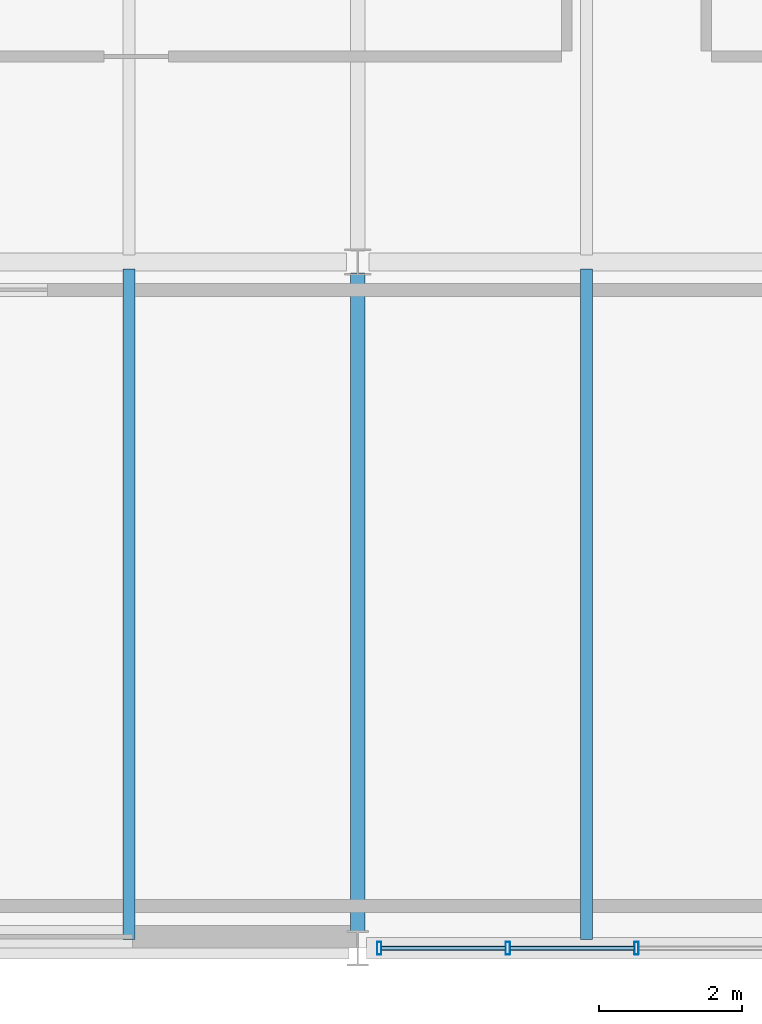
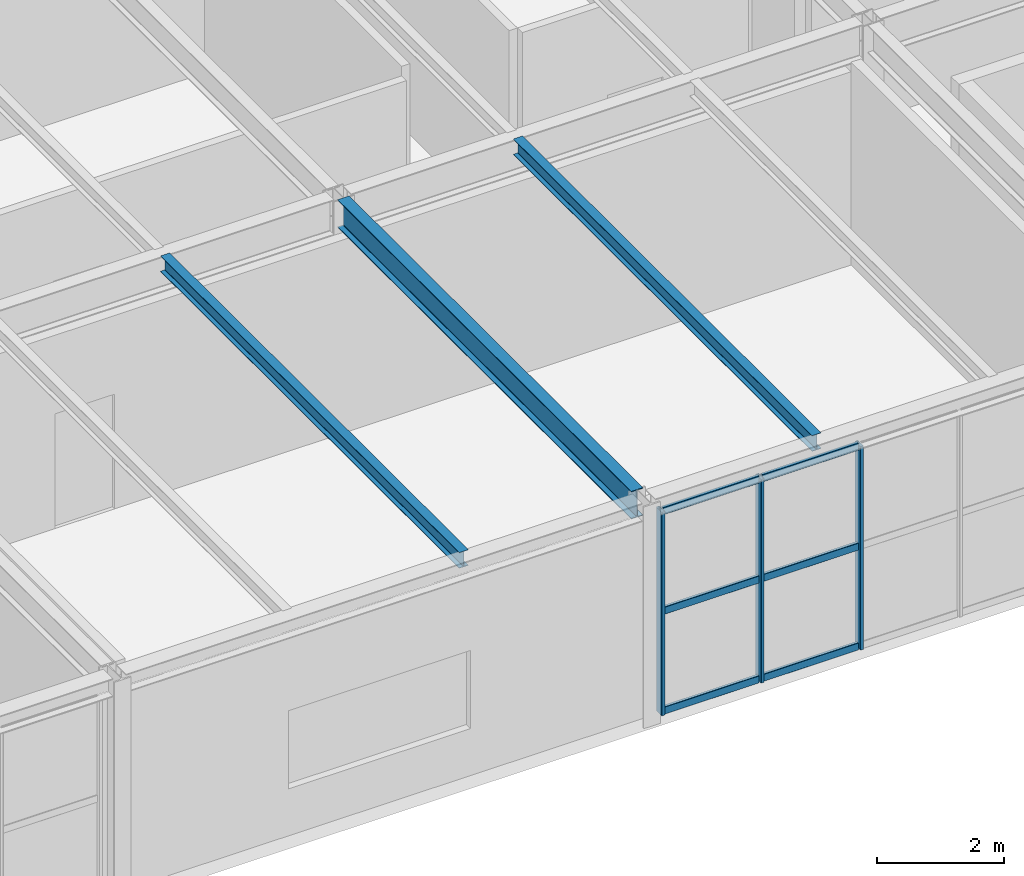
# One storey, part 61 of 170: 9 members, 3 beams, 1 element without a shape of its own.
"""IFC4 building model written with IfcOpenShell, lengths in metres."""

from ifc_helpers import new_model, si_unit, direction, frame, origin, origin_2d, place, context, subcontext, project, spatial, hollow_rectangle, i_section, extrude, material, material_profile, profile_set, type_object, element, aggregate, save


model = new_model("IFC4")

# Units and contexts
model_context = context("Model", 3, precision=1e-05, world=origin(), true_north=direction((0.0, 1.0)))
body_context = subcontext(model_context, "Body", "Model", "MODEL_VIEW")
ifc_project = project(units=[si_unit("LENGTHUNIT", "METRE"), si_unit("AREAUNIT", "SQUARE_METRE"), si_unit("VOLUMEUNIT", "CUBIC_METRE"), si_unit("PLANEANGLEUNIT", "RADIAN"), si_unit("MASSUNIT", "GRAM", prefix="KILO")], contexts=[model_context])

# Site, building, storey
site_placement = place(None, origin())
site = spatial("IfcSite", under=ifc_project, at=site_placement, CompositionType="ELEMENT")
building_placement = place(site_placement, origin())
building = spatial("IfcBuilding", under=site, at=building_placement, Name="Coralgate Yard Interchange", CompositionType="ELEMENT")
storey_placement = place(building_placement, frame((0.0, 0.0, 6.0)))
storey = spatial("IfcBuildingStorey", under=building, at=storey_placement, Name="L01", CompositionType="ELEMENT", Elevation=6.0)

# Beams
ifc_material_1 = material(Name="Structural steel S355J2", Category="steel")
ifc_material_profile_1 = material_profile(ifc_material_1, i_section(OverallWidth=0.209228515625, OverallDepth=0.533203125, WebThickness=0.010009765625, FlangeThickness=0.015625, FilletRadius=0.0126953125, at=origin_2d()), Name="UB 533x210x92")
ifc_profile_set_1 = profile_set([ifc_material_profile_1], Name="Structural steel S355J2")
beam_type_1 = type_object("IfcBeamType", Name="BM-SB-1", PredefinedType="BEAM", material=ifc_profile_set_1)
beam_placement = place(storey_placement, frame((67.199951171875, 0.219970703125, 3.9833984375), z_axis=(0.0, 1.0, 0.0), x_axis=(-1.0, 0.0, 0.0)))
element("IfcBeam", 1, at=beam_placement, inside=storey, type_object=beam_type_1, Name="L01 primary grid girder X7 Y0-1", PredefinedType="BEAM", context=body_context, shape_type="SweptSolid", body=[
    extrude(i_section(OverallWidth=0.209228515625, OverallDepth=0.533203125, WebThickness=0.010009765625, FlangeThickness=0.015625, FilletRadius=0.0126953125, at=origin_2d()), origin(), (0.0, 0.0, 1.0), 9.225830078125),
])
ifc_material_profile_2 = material_profile(ifc_material_1, i_section(OverallWidth=0.1650390625, OverallDepth=0.303466796875, WebThickness=0.006103515625, FlangeThickness=0.01025390625, FilletRadius=0.0087890625, at=origin_2d()), Name="UB 305x165x40")
ifc_profile_set_2 = profile_set([ifc_material_profile_2], Name="Structural steel S355J2")
beam_type_2 = type_object("IfcBeamType", Name="BM-SJ-1", PredefinedType="JOIST", material=ifc_profile_set_2)
for number, where, z_axis, x_axis, name in (
    (2, (64.0, 0.1201171875, 4.098388671875), (0.0, 1.0, 0.0), (-1.0, 0.0, 0.0), "L01 composite floor joist 6-0-2"),
    (3, (70.39990234375, 0.1201171875, 4.098388671875), (0.0, 1.0, 0.0), (-1.0, 0.0, 0.0), "L01 composite floor joist 7-0-1"),
):
    element("IfcBeam", number, at=place(storey_placement, frame(where, z_axis=z_axis, x_axis=x_axis)), inside=storey, type_object=beam_type_2, Name=name, PredefinedType="JOIST", context=body_context, shape_type="SweptSolid", body=[
        extrude(i_section(OverallWidth=0.1650390625, OverallDepth=0.303466796875, WebThickness=0.006103515625, FlangeThickness=0.01025390625, FilletRadius=0.0087890625, at=origin_2d()), origin(), (0.0, 0.0, 1.0), 9.383056640625),
    ])

# Curtain wall, members
ifc_material_2 = material(Name="Anodised coastal aluminium and solar-control low-E glass", Category="aluminium")
curtain_wall_type = type_object("IfcCurtainWallType", Name="CW-CW-L01-A", PredefinedType="NOTDEFINED", material=ifc_material_2)
curtain_wall_placement = place(storey_placement, origin())
curtain_wall = element("IfcCurtainWall", 4, at=curtain_wall_placement, inside=storey, type_object=curtain_wall_type, Name="L01 unitised curtain wall CW-L01-S-07-00", PredefinedType="NOTDEFINED")
ifc_material_3 = material(Name="Anodised coastal aluminium 6063-T6", Category="aluminium")
ifc_material_profile_3 = material_profile(ifc_material_3, hollow_rectangle(XDim=0.06005859375, YDim=0.179931640625, WallThickness=0.00390625, InnerFilletRadius=0.00390625, OuterFilletRadius=0.008056640625, at=origin_2d()), Name="ALU 60x180x4")
ifc_profile_set_3 = profile_set([ifc_material_profile_3], Name="Anodised coastal aluminium 6063-T6")
member_type_1 = type_object("IfcMemberType", Name="MB-MUL-180", PredefinedType="MULLION", material=ifc_profile_set_3)
member_1_placement = place(storey_placement, frame((71.10009765625, 0.0, 0.0), z_axis=(0.0, 0.0, 1.0), x_axis=(1.0, 0.0, 0.0)))
member_1 = element("IfcMember", 5, at=member_1_placement, type_object=member_type_1, Name="CW-L01-S-07-00 vertical mullion 4", PredefinedType="MULLION", context=body_context, shape_type="SweptSolid", body=[
    extrude(hollow_rectangle(XDim=0.06005859375, YDim=0.179931640625, WallThickness=0.00390625, InnerFilletRadius=0.00390625, OuterFilletRadius=0.008056640625, at=origin_2d()), origin(), (0.0, 0.0, 1.0), 3.89990234375),
])
member_2_placement = place(storey_placement, frame((69.300048828125, 0.0, 0.0), z_axis=(0.0, 0.0, 1.0), x_axis=(1.0, 0.0, 0.0)))
member_2 = element("IfcMember", 6, at=member_2_placement, type_object=member_type_1, Name="CW-L01-S-07-00 vertical mullion 5", PredefinedType="MULLION", context=body_context, shape_type="SweptSolid", body=[
    extrude(hollow_rectangle(XDim=0.06005859375, YDim=0.179931640625, WallThickness=0.00390625, InnerFilletRadius=0.00390625, OuterFilletRadius=0.008056640625, at=origin_2d()), origin(), (0.0, 0.0, 1.0), 3.89990234375),
])
member_3_placement = place(storey_placement, frame((67.5, 0.0, 0.0), z_axis=(0.0, 0.0, 1.0), x_axis=(1.0, 0.0, 0.0)))
member_3 = element("IfcMember", 7, at=member_3_placement, type_object=member_type_1, Name="CW-L01-S-07-00 vertical mullion 6", PredefinedType="MULLION", context=body_context, shape_type="SweptSolid", body=[
    extrude(hollow_rectangle(XDim=0.06005859375, YDim=0.179931640625, WallThickness=0.00390625, InnerFilletRadius=0.00390625, OuterFilletRadius=0.008056640625, at=origin_2d()), origin(), (0.0, 0.0, 1.0), 3.89990234375),
])
ifc_material_profile_4 = material_profile(ifc_material_3, hollow_rectangle(XDim=0.06005859375, YDim=0.139892578125, WallThickness=0.00341796875, InnerFilletRadius=0.00341796875, OuterFilletRadius=0.007080078125, at=origin_2d()), Name="ALU 60x140x3.5")
ifc_profile_set_4 = profile_set([ifc_material_profile_4], Name="Anodised coastal aluminium 6063-T6")
member_type_2 = type_object("IfcMemberType", Name="MB-TRN-140", PredefinedType="USERDEFINED", material=ifc_profile_set_4)
member_4_placement = place(storey_placement, frame((71.070068359375, 0.0, 0.034912109375), z_axis=(-1.0, 0.0, 0.0), x_axis=(0.0, -1.0, 0.0)))
member_4 = element("IfcMember", 8, at=member_4_placement, type_object=member_type_2, Name="CW-L01-S-07-00 horizontal transom 4-1", ObjectType="TRANSOM", PredefinedType="USERDEFINED", context=body_context, shape_type="SweptSolid", body=[
    extrude(hollow_rectangle(XDim=0.06005859375, YDim=0.139892578125, WallThickness=0.00341796875, InnerFilletRadius=0.00341796875, OuterFilletRadius=0.007080078125, at=origin_2d()), origin(), (0.0, 0.0, 1.0), 1.739990234375),
])
member_5_placement = place(storey_placement, frame((71.070068359375, 0.0, 1.949951171875), z_axis=(-1.0, 0.0, 0.0), x_axis=(0.0, -1.0, 0.0)))
member_5 = element("IfcMember", 9, at=member_5_placement, type_object=member_type_2, Name="CW-L01-S-07-00 horizontal transom 4-2", ObjectType="TRANSOM", PredefinedType="USERDEFINED", context=body_context, shape_type="SweptSolid", body=[
    extrude(hollow_rectangle(XDim=0.06005859375, YDim=0.139892578125, WallThickness=0.00341796875, InnerFilletRadius=0.00341796875, OuterFilletRadius=0.007080078125, at=origin_2d()), origin(), (0.0, 0.0, 1.0), 1.739990234375),
])
member_6_placement = place(storey_placement, frame((71.070068359375, 0.0, 3.864990234375), z_axis=(-1.0, 0.0, 0.0), x_axis=(0.0, -1.0, 0.0)))
member_6 = element("IfcMember", 10, at=member_6_placement, type_object=member_type_2, Name="CW-L01-S-07-00 horizontal transom 4-3", ObjectType="TRANSOM", PredefinedType="USERDEFINED", context=body_context, shape_type="SweptSolid", body=[
    extrude(hollow_rectangle(XDim=0.06005859375, YDim=0.139892578125, WallThickness=0.00341796875, InnerFilletRadius=0.00341796875, OuterFilletRadius=0.007080078125, at=origin_2d()), origin(), (0.0, 0.0, 1.0), 1.739990234375),
])
member_7_placement = place(storey_placement, frame((69.27001953125, 0.0, 0.034912109375), z_axis=(-1.0, 0.0, 0.0), x_axis=(0.0, -1.0, 0.0)))
member_7 = element("IfcMember", 11, at=member_7_placement, type_object=member_type_2, Name="CW-L01-S-07-00 horizontal transom 5-1", ObjectType="TRANSOM", PredefinedType="USERDEFINED", context=body_context, shape_type="SweptSolid", body=[
    extrude(hollow_rectangle(XDim=0.06005859375, YDim=0.139892578125, WallThickness=0.00341796875, InnerFilletRadius=0.00341796875, OuterFilletRadius=0.007080078125, at=origin_2d()), origin(), (0.0, 0.0, 1.0), 1.739990234375),
])
member_8_placement = place(storey_placement, frame((69.27001953125, 0.0, 1.949951171875), z_axis=(-1.0, 0.0, 0.0), x_axis=(0.0, -1.0, 0.0)))
member_8 = element("IfcMember", 12, at=member_8_placement, type_object=member_type_2, Name="CW-L01-S-07-00 horizontal transom 5-2", ObjectType="TRANSOM", PredefinedType="USERDEFINED", context=body_context, shape_type="SweptSolid", body=[
    extrude(hollow_rectangle(XDim=0.06005859375, YDim=0.139892578125, WallThickness=0.00341796875, InnerFilletRadius=0.00341796875, OuterFilletRadius=0.007080078125, at=origin_2d()), origin(), (0.0, 0.0, 1.0), 1.739990234375),
])
member_9_placement = place(storey_placement, frame((69.27001953125, 0.0, 3.864990234375), z_axis=(-1.0, 0.0, 0.0), x_axis=(0.0, -1.0, 0.0)))
member_9 = element("IfcMember", 13, at=member_9_placement, type_object=member_type_2, Name="CW-L01-S-07-00 horizontal transom 5-3", ObjectType="TRANSOM", PredefinedType="USERDEFINED", context=body_context, shape_type="SweptSolid", body=[
    extrude(hollow_rectangle(XDim=0.06005859375, YDim=0.139892578125, WallThickness=0.00341796875, InnerFilletRadius=0.00341796875, OuterFilletRadius=0.007080078125, at=origin_2d()), origin(), (0.0, 0.0, 1.0), 1.739990234375),
])
aggregate(curtain_wall, [member_1, member_2, member_3, member_4, member_5, member_6, member_7, member_8, member_9])

save(model, "model.ifc")
